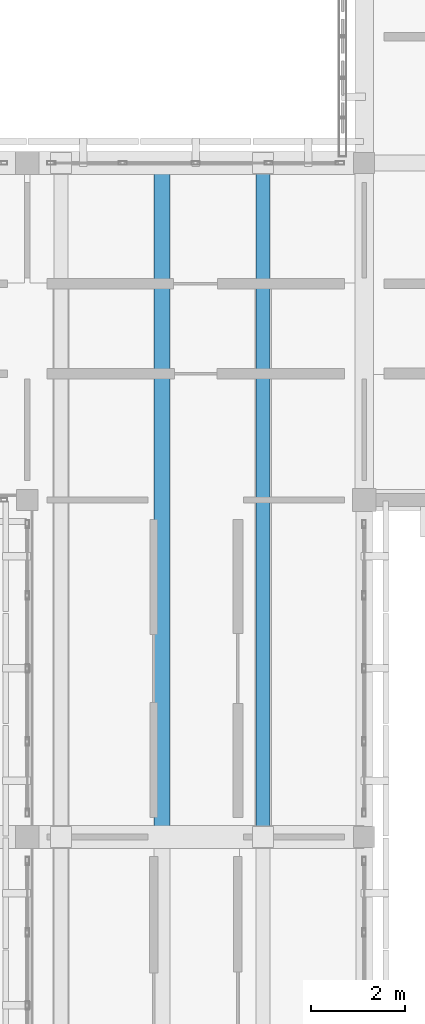
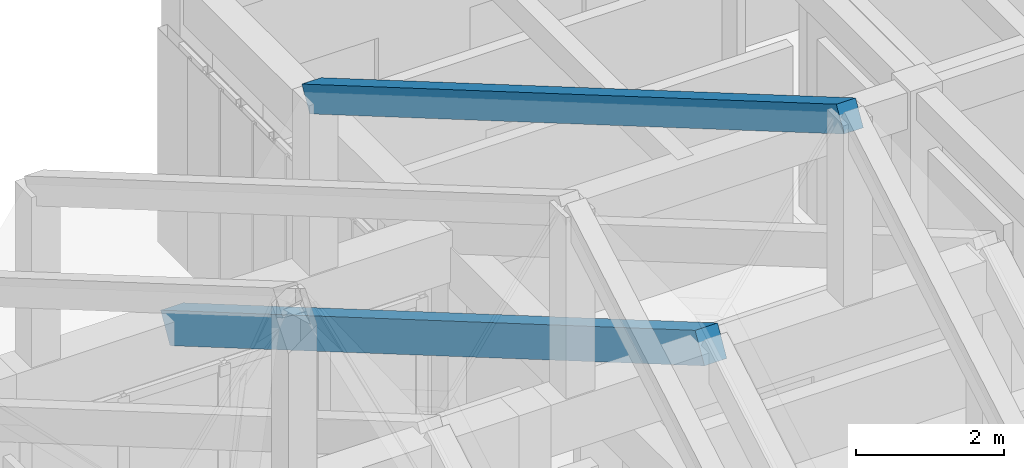
# One storey, part 54 of 171: 2 beams.
"""IFC4 building model written with IfcOpenShell, lengths in metres."""

from ifc_helpers import new_model, si_unit, direction, frame, origin, origin_2d, place, context, subcontext, project, spatial, rectangle, extrude, material, material_profile, profile_set, type_object, element, save


model = new_model("IFC4")

# Units and contexts
model_context = context("Model", 3, precision=1e-05, world=origin(), true_north=direction((0.0, 1.0)))
body_context = subcontext(model_context, "Body", "Model", "MODEL_VIEW")
ifc_project = project(units=[si_unit("LENGTHUNIT", "METRE"), si_unit("AREAUNIT", "SQUARE_METRE"), si_unit("VOLUMEUNIT", "CUBIC_METRE"), si_unit("PLANEANGLEUNIT", "RADIAN"), si_unit("MASSUNIT", "GRAM", prefix="KILO")], contexts=[model_context])

# Site, building, storey
site_placement = place(None, origin())
site = spatial("IfcSite", under=ifc_project, at=site_placement, CompositionType="ELEMENT")
building_placement = place(site_placement, origin())
building = spatial("IfcBuilding", under=site, at=building_placement, Name="Aldebral Square Health Centre", CompositionType="ELEMENT")
storey_placement = place(building_placement, frame((0.0, 0.0, 4.5)))
storey = spatial("IfcBuildingStorey", under=building, at=storey_placement, Name="L01", CompositionType="ELEMENT", Elevation=4.5)

# Beams
ifc_material = material(Name="Concrete C40/50", Category="concrete")
ifc_material_profile_1 = material_profile(ifc_material, rectangle(XDim=0.300048828125, YDim=0.419921875, at=origin_2d()), Name="RC 300x420")
ifc_profile_set_1 = profile_set([ifc_material_profile_1], Name="Concrete C40/50")
beam_type_1 = type_object("IfcBeamType", Name="BM-FP2", PredefinedType="BEAM", material=ifc_profile_set_1)
beam_1_placement = place(storey_placement, frame((105.840087890625, 86.39990234375, 15.64990234375), z_axis=(0.0, 0.863783681228, -0.503862830584), x_axis=(-1.0, 0.0, 0.0)))
element("IfcBeam", 1, at=beam_1_placement, inside=storey, type_object=beam_type_1, Name="Folded-plate north ridge rib 10", PredefinedType="BEAM", context=body_context, shape_type="SweptSolid", body=[
    extrude(rectangle(XDim=0.300048828125, YDim=0.419921875, at=origin_2d()), origin(), (0.0, 0.0, 1.0), 16.6708984375),
])
ifc_material_profile_2 = material_profile(ifc_material, rectangle(XDim=0.35009765625, YDim=0.5, at=origin_2d()), Name="RC 350x500")
ifc_profile_set_2 = profile_set([ifc_material_profile_2], Name="Concrete C40/50")
beam_type_2 = type_object("IfcBeamType", Name="BM-SP1", PredefinedType="SPANDREL", material=ifc_profile_set_2)
beam_2_placement = place(storey_placement, frame((103.679931640625, 86.39990234375, 12.64990234375), z_axis=(0.0, 0.863783681228, -0.503862830584), x_axis=(-1.0, 0.0, 0.0)))
element("IfcBeam", 2, at=beam_2_placement, inside=storey, type_object=beam_type_2, Name="Folded-plate north valley beam 10", PredefinedType="SPANDREL", context=body_context, shape_type="SweptSolid", body=[
    extrude(rectangle(XDim=0.35009765625, YDim=0.5, at=origin_2d()), origin(), (0.0, 0.0, 1.0), 16.6708984375),
])

save(model, "model.ifc")
